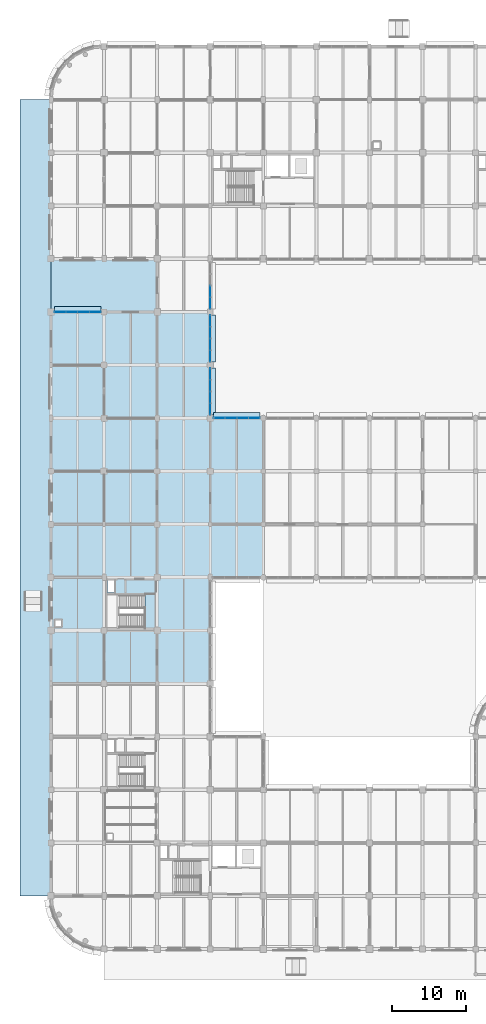
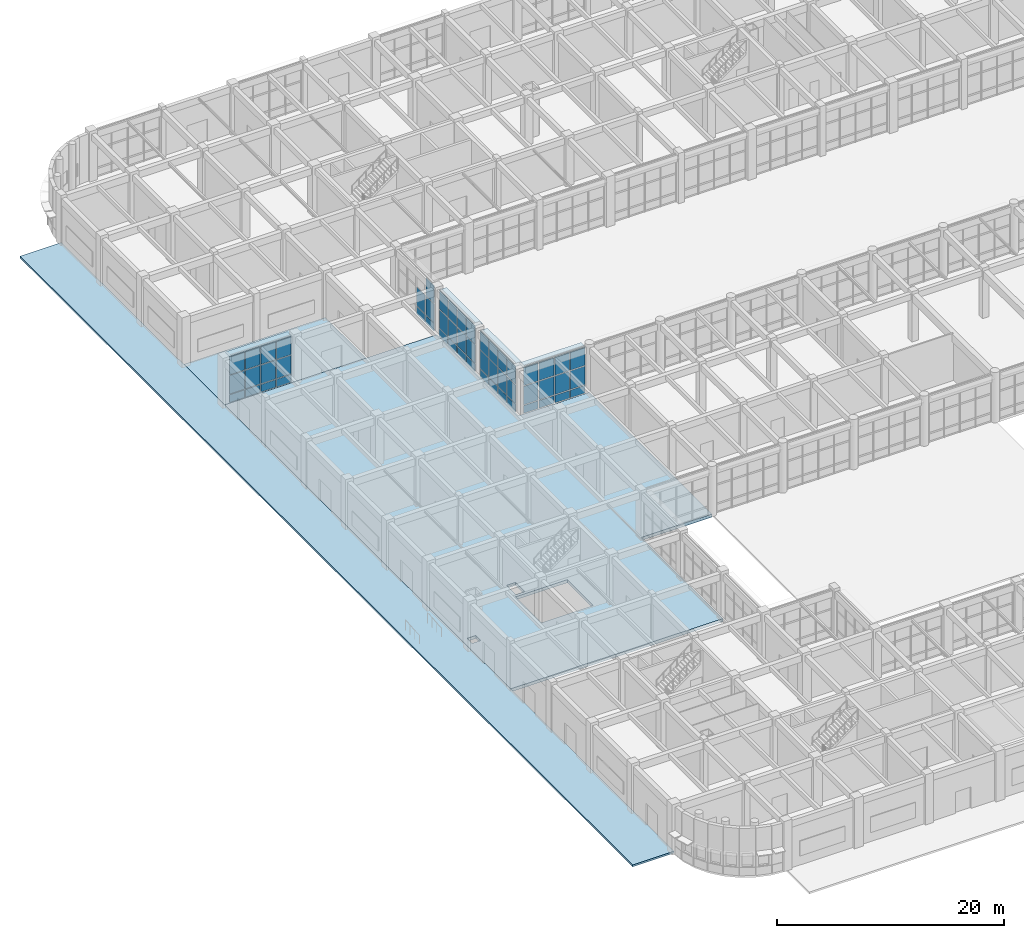
# One storey, part 121 of 160: 57 plates, 3 slabs, 5 elements without a shape of their own.
"""IFC4 building model written with IfcOpenShell, lengths in metres."""

import ifcopenshell
import ifcopenshell.guid

model = None  # the IFC model being written
_history = None  # IfcOwnerHistory: only IFC2X3 demands one
_inside = {}  # id of a spatial element -> (the spatial element, [elements in it])
_under = {}  # id of a project, library or spatial element -> (it, [spatial elements below it])
_declared = {}  # id of a project -> (the project, [libraries it declares])
_typed = {}  # id of a type object -> (the type object, [elements of that type])
_made_of = {}  # id of a material, layer set ... -> (it, [elements and type objects made of it])


def new_model(schema):
    """Start an empty IFC model of exactly this schema.

    Asked for "IFC4X3", IfcOpenShell would pick the latest addendum, in which some entities
    have other attributes; the version numbers below select the first issue.
    IFC2X3 requires an IfcOwnerHistory on every rooted entity: one is made here for all.
    """
    global model, _history
    if schema == "IFC4X3":
        model = ifcopenshell.file(schema_version=(4, 3, 0, 0))
    else:
        model = ifcopenshell.file(schema=schema)
    _inside.clear()
    _under.clear()
    _declared.clear()
    _typed.clear()
    _made_of.clear()
    _history = None
    if model.schema == "IFC2X3":
        org = make("IfcOrganization", Name="unknown")
        user = make(
            "IfcPersonAndOrganization",
            ThePerson=make("IfcPerson", FamilyName="unknown"),
            TheOrganization=org,
        )
        app = make(
            "IfcApplication",
            ApplicationDeveloper=org,
            Version="unknown",
            ApplicationFullName="unknown",
            ApplicationIdentifier="unknown",
        )
        _history = make(
            "IfcOwnerHistory",
            OwningUser=user,
            OwningApplication=app,
            ChangeAction="ADDED",
            CreationDate=0,
        )
    return model


def make(cls, **values):
    """One entity of the class cls with the attributes given. An attribute that is None is left unset."""
    return model.create_entity(
        cls, **{name: value for name, value in values.items() if value is not None}
    )


def rooted(cls, **values):
    """An entity with a GlobalId (a new one), such as an element, a storey or a relation."""
    return make(cls, GlobalId=ifcopenshell.guid.new(), OwnerHistory=_history, **values)


def si_unit(unit_type, name, prefix=None):
    """IfcSIUnit, for example si_unit("LENGTHUNIT", "METRE", prefix="MILLI")."""
    return make("IfcSIUnit", UnitType=unit_type, Prefix=prefix, Name=name)


def assignment(units):
    """IfcUnitAssignment: the units of a project."""
    return None if units is None else make("IfcUnitAssignment", Units=units)


def point(xyz):
    """IfcCartesianPoint."""
    return None if xyz is None else make("IfcCartesianPoint", Coordinates=xyz)


def direction(xyz):
    """IfcDirection."""
    return None if xyz is None else make("IfcDirection", DirectionRatios=xyz)


def frame(location, z_axis=None, x_axis=None):
    """IfcAxis2Placement3D, a coordinate frame: its origin and axes. An axis left out is left unset."""
    return make(
        "IfcAxis2Placement3D",
        Location=point(location),
        Axis=direction(z_axis),
        RefDirection=direction(x_axis),
    )


def frame_2d(location, x_axis=None):
    """IfcAxis2Placement2D, a coordinate frame in the plane: its origin and x axis."""
    return make(
        "IfcAxis2Placement2D", Location=point(location), RefDirection=direction(x_axis)
    )


def origin():
    """The frame at (0, 0, 0) with its axes left unset."""
    return frame((0.0, 0.0, 0.0))


def origin_2d():
    """The frame at (0, 0) in the plane with its x axis left unset."""
    return frame_2d((0.0, 0.0))


def place(relative_to, where):
    """IfcLocalPlacement: puts the frame where relative to a parent placement (None: the world)."""
    return make(
        "IfcLocalPlacement", PlacementRelTo=relative_to, RelativePlacement=where
    )


def context(
    kind, dimensions, precision=None, world=None, true_north=None, identifier=None
):
    """IfcGeometricRepresentationContext, for example the 3D "Model" context."""
    return make(
        "IfcGeometricRepresentationContext",
        ContextIdentifier=identifier,
        ContextType=kind,
        CoordinateSpaceDimension=dimensions,
        Precision=precision,
        WorldCoordinateSystem=world,
        TrueNorth=true_north,
    )


def subcontext(parent, identifier, kind, view, scale=None):
    """IfcGeometricRepresentationSubContext, for example "Body" below "Model"."""
    return make(
        "IfcGeometricRepresentationSubContext",
        ContextIdentifier=identifier,
        ContextType=kind,
        ParentContext=parent,
        TargetScale=scale,
        TargetView=view,
    )


def project(units=None, contexts=None):
    """IfcProject with its units and contexts."""
    return rooted(
        "IfcProject",
        Name="project",
        RepresentationContexts=contexts,
        UnitsInContext=assignment(units),
    )


def spatial(cls, under=None, at=None, **own):
    """A site, building, storey or space (cls), placed at a placement, below another one or the project."""
    s = rooted(cls, ObjectPlacement=at, **own)
    if under is not None:
        _under.setdefault(under.id(), (under, []))[1].append(s)
    return s


def polyline(points):
    """IfcPolyline through the points."""
    return make("IfcPolyline", Points=[point(p) for p in points])


def profile(cls, at=None, kind="AREA", **sizes):
    """A parametric profile (cls). Its sizes go by their IFC names, for example OverallWidth=200.0."""
    return make(cls, ProfileType=kind, Position=at, **sizes)


def rectangle(**sizes):
    """IfcRectangleProfileDef."""
    return profile("IfcRectangleProfileDef", **sizes)


def outline(outer, holes=None, kind="AREA"):
    """IfcArbitraryClosedProfileDef: a profile drawn as a closed curve; with holes, ...WithVoids."""
    if holes is None:
        return make("IfcArbitraryClosedProfileDef", ProfileType=kind, OuterCurve=outer)
    return make(
        "IfcArbitraryProfileDefWithVoids",
        ProfileType=kind,
        OuterCurve=outer,
        InnerCurves=holes,
    )


def extrude(swept, where, along, depth):
    """IfcExtrudedAreaSolid: the profile swept, set in the frame where, extruded along a direction by depth."""
    return make(
        "IfcExtrudedAreaSolid",
        SweptArea=swept,
        Position=where,
        ExtrudedDirection=direction(along),
        Depth=depth,
    )


def shape(context_of_items, identifier, shape_type, items):
    """IfcShapeRepresentation: the items that make up one representation, for example the "Body"."""
    return make(
        "IfcShapeRepresentation",
        ContextOfItems=context_of_items,
        RepresentationIdentifier=identifier,
        RepresentationType=shape_type,
        Items=items,
    )


def material(Name=None, Category=None):
    """IfcMaterial."""
    return make("IfcMaterial", Name=Name, Category=Category)


def layer(
    of_material, thickness, ventilated=None, Name=None, Category=None, Priority=None
):
    """IfcMaterialLayer: one layer of a wall or slab, of a material (None: an air gap)."""
    return make(
        "IfcMaterialLayer",
        Material=of_material,
        LayerThickness=thickness,
        IsVentilated=ventilated,
        Name=Name,
        Category=Category,
        Priority=Priority,
    )


def layer_set(layers, Name=None):
    """IfcMaterialLayerSet."""
    return make("IfcMaterialLayerSet", MaterialLayers=layers, LayerSetName=Name)


def made_of(thing, what):
    """Note that an element or type object is made of a material, layer set ...; save() writes the relation."""
    if what is not None:
        _made_of.setdefault(what.id(), (what, []))[1].append(thing)
    return thing


def type_object(cls, material=None, **own):
    """A type object (cls), such as IfcWallType, which elements share."""
    return made_of(rooted(cls, **own), material)


def element(
    cls,
    number,
    at=None,
    inside=None,
    cuts=None,
    type_object=None,
    material=None,
    context=None,
    identifier="Body",
    shape_type=None,
    held_by="IfcProductDefinitionShape",
    body=None,
    shapes=None,
    **own,
):
    """One element of the class cls, such as IfcWall. Its Tag is "e" and its number.

    at: its placement. inside: the storey or other place that contains it. cuts: it is an
    opening in that element (IfcRelVoidsElement). A single representation is given by context,
    identifier, shape_type and body (its items); several are given by shapes. held_by: the class
    of the entity that holds the representations. save() writes the other relations.
    """
    e = rooted(cls, Tag="e%d" % number, ObjectPlacement=at, **own)
    if body is not None:
        shapes = [shape(context, identifier, shape_type, body)]
    if shapes is not None:
        e.Representation = make(held_by, Representations=shapes)
    if inside is not None:
        _inside.setdefault(inside.id(), (inside, []))[1].append(e)
    if cuts is not None:
        rooted(
            "IfcRelVoidsElement", RelatingBuildingElement=cuts, RelatedOpeningElement=e
        )
    if type_object is not None:
        _typed.setdefault(type_object.id(), (type_object, []))[1].append(e)
    return made_of(e, material)


def aggregate(whole, parts):
    """IfcRelAggregates: a whole, such as a stair, and the parts it consists of."""
    return rooted("IfcRelAggregates", RelatingObject=whole, RelatedObjects=parts)


def save(model, path):
    """Write the relations noted so far, then the file.

    IfcRelAggregates (storeys below a building ...), IfcRelContainedInSpatialStructure (elements
    in a storey), IfcRelDefinesByType, IfcRelAssociatesMaterial and IfcRelDeclares: one each for
    every whole, place, type object, material and project.
    """
    for whole, parts in _under.values():
        aggregate(whole, parts)
    for where, things in _inside.values():
        rooted(
            "IfcRelContainedInSpatialStructure",
            RelatedElements=things,
            RelatingStructure=where,
        )
    for kind, things in _typed.values():
        rooted("IfcRelDefinesByType", RelatedObjects=things, RelatingType=kind)
    for what, things in _made_of.values():
        rooted("IfcRelAssociatesMaterial", RelatedObjects=things, RelatingMaterial=what)
    for by, libraries in _declared.values():
        rooted("IfcRelDeclares", RelatingContext=by, RelatedDefinitions=libraries)
    model.write(path)


model = new_model("IFC4")

# Units and contexts
model_context = context("Model", 3, precision=1e-05, world=origin(), true_north=direction((0.0, 1.0)))
body_context = subcontext(model_context, "Body", "Model", "MODEL_VIEW")
ifc_project = project(units=[si_unit("LENGTHUNIT", "METRE"), si_unit("AREAUNIT", "SQUARE_METRE"), si_unit("VOLUMEUNIT", "CUBIC_METRE"), si_unit("PLANEANGLEUNIT", "RADIAN"), si_unit("MASSUNIT", "GRAM", prefix="KILO")], contexts=[model_context])

# Site, building, storey
site_placement = place(None, origin())
site = spatial("IfcSite", under=ifc_project, at=site_placement, CompositionType="ELEMENT")
building_placement = place(site_placement, origin())
building = spatial("IfcBuilding", under=site, at=building_placement, Name="Thalmaran Polytechnic", CompositionType="ELEMENT")
storey_placement = place(building_placement, origin())
storey = spatial("IfcBuildingStorey", under=building, at=storey_placement, Name="L00", CompositionType="ELEMENT", Elevation=0.0)

# Plates
ifc_material_1 = material(Name="Anodised aluminium sun-hood eyebrow", Category="aluminium")
ifc_layer_1 = layer(ifc_material_1, 0.0849609375, Name="Anodised aluminium sun-hood eyebrow")
ifc_layer_set_1 = layer_set([ifc_layer_1], Name="Anodised aluminium sun-hood eyebrow")
plate_type_1 = type_object("IfcPlateType", Name="PT-EB01", PredefinedType="SHEET", material=ifc_layer_set_1)
plate_1_placement = place(storey_placement, frame((3.625, 86.760009765625, 4.987548828125), z_axis=(0.0, 0.0, 1.0), x_axis=(1.0, 0.0, 0.0)))
element("IfcPlate", 1, at=plate_1_placement, inside=storey, type_object=plate_type_1, Name="Streamline Sun-Hood Eyebrow L00-CW001", PredefinedType="SHEET", context=body_context, shape_type="SweptSolid", body=[
    extrude(rectangle(XDim=6.31005859375, YDim=0.760009765625, at=origin_2d()), origin(), (0.0, 0.0, 1.0), 0.0849609375),
])
plate_2_placement = place(storey_placement, frame((21.9599609375, 82.804931640625, 4.987548828125), z_axis=(0.0, 0.0, 1.0), x_axis=(0.0, -1.0, 0.0)))
element("IfcPlate", 2, at=plate_2_placement, inside=storey, type_object=plate_type_1, Name="Streamline Sun-Hood Eyebrow L00-CW024", PredefinedType="SHEET", context=body_context, shape_type="SweptSolid", body=[
    extrude(rectangle(XDim=6.35009765625, YDim=0.760009765625, at=origin_2d()), origin(), (0.0, 0.0, 1.0), 0.0849609375),
])
plate_3_placement = place(storey_placement, frame((21.9599609375, 75.614990234375, 4.987548828125), z_axis=(0.0, 0.0, 1.0), x_axis=(0.0, -1.0, 0.0)))
element("IfcPlate", 3, at=plate_3_placement, inside=storey, type_object=plate_type_1, Name="Streamline Sun-Hood Eyebrow L00-CW025", PredefinedType="SHEET", context=body_context, shape_type="SweptSolid", body=[
    extrude(rectangle(XDim=6.31005859375, YDim=0.760009765625, at=origin_2d()), origin(), (0.0, 0.0, 1.0), 0.0849609375),
])
plate_4_placement = place(storey_placement, frame((25.219970703125, 72.360107421875, 4.987548828125), z_axis=(0.0, 0.0, 1.0), x_axis=(1.0, 0.0, 0.0)))
element("IfcPlate", 4, at=plate_4_placement, inside=storey, type_object=plate_type_1, Name="Streamline Sun-Hood Eyebrow L00-CW026", PredefinedType="SHEET", context=body_context, shape_type="SweptSolid", body=[
    extrude(rectangle(XDim=6.320068359375, YDim=0.760009765625, at=origin_2d()), origin(), (0.0, 0.0, 1.0), 0.0849609375),
])

# Curtain wall, plates
ifc_material_2 = material(Name="Aluminium 6063-T6", Category="aluminium")
curtain_wall_type = type_object("IfcCurtainWallType", Name="CW-UC01", PredefinedType="USERDEFINED", material=ifc_material_2)
curtain_wall_1_placement = place(storey_placement, origin())
curtain_wall_1 = element("IfcCurtainWall", 5, at=curtain_wall_1_placement, inside=storey, type_object=curtain_wall_type, Name="Curtain Wall CW-L00-025", ObjectType="UNITISED CURTAIN WALL", PredefinedType="USERDEFINED")
ifc_material_3 = material(Name="Solar-control double low-E glass", Category="glass")
ifc_layer_2 = layer(ifc_material_3, 0.035888671875, Name="Solar-control double low-E glass")
ifc_layer_set_2 = layer_set([ifc_layer_2], Name="Solar-control double low-E glass")
plate_type_2 = type_object("IfcPlateType", Name="PT-GL01", PredefinedType="CURTAIN_PANEL", material=ifc_layer_set_2)
plate_5_placement = place(storey_placement, frame((21.60009765625, 77.996337890625, 1.0), z_axis=(0.0, 0.0, 1.0), x_axis=(0.0, -1.0, 0.0)))
plate_5 = element("IfcPlate", 6, at=plate_5_placement, type_object=plate_type_2, Name="CW-L00-025 Vision Panel 1-2", PredefinedType="CURTAIN_PANEL", context=body_context, shape_type="SweptSolid", body=[
    extrude(rectangle(XDim=1.487548828125, YDim=0.035888671875, at=origin_2d()), origin(), (0.0, 0.0, 1.0), 1.985107421875),
])
plate_6_placement = place(storey_placement, frame((21.60009765625, 77.996337890625, 3.06494140625), z_axis=(0.0, 0.0, 1.0), x_axis=(0.0, -1.0, 0.0)))
plate_6 = element("IfcPlate", 7, at=plate_6_placement, type_object=plate_type_2, Name="CW-L00-025 Vision Panel 1-3", PredefinedType="CURTAIN_PANEL", context=body_context, shape_type="SweptSolid", body=[
    extrude(rectangle(XDim=1.487548828125, YDim=0.035888671875, at=origin_2d()), origin(), (0.0, 0.0, 1.0), 1.925048828125),
])
plate_7_placement = place(storey_placement, frame((21.60009765625, 76.40869140625, 1.0), z_axis=(0.0, 0.0, 1.0), x_axis=(0.0, -1.0, 0.0)))
plate_7 = element("IfcPlate", 8, at=plate_7_placement, type_object=plate_type_2, Name="CW-L00-025 Vision Panel 2-2", PredefinedType="CURTAIN_PANEL", context=body_context, shape_type="SweptSolid", body=[
    extrude(rectangle(XDim=1.487548828125, YDim=0.035888671875, at=origin_2d()), origin(), (0.0, 0.0, 1.0), 1.985107421875),
])
plate_8_placement = place(storey_placement, frame((21.60009765625, 76.40869140625, 3.06494140625), z_axis=(0.0, 0.0, 1.0), x_axis=(0.0, -1.0, 0.0)))
plate_8 = element("IfcPlate", 9, at=plate_8_placement, type_object=plate_type_2, Name="CW-L00-025 Vision Panel 2-3", PredefinedType="CURTAIN_PANEL", context=body_context, shape_type="SweptSolid", body=[
    extrude(rectangle(XDim=1.487548828125, YDim=0.035888671875, at=origin_2d()), origin(), (0.0, 0.0, 1.0), 1.925048828125),
])
plate_9_placement = place(storey_placement, frame((21.60009765625, 74.8212890625, 1.0), z_axis=(0.0, 0.0, 1.0), x_axis=(0.0, -1.0, 0.0)))
plate_9 = element("IfcPlate", 10, at=plate_9_placement, type_object=plate_type_2, Name="CW-L00-025 Vision Panel 3-2", PredefinedType="CURTAIN_PANEL", context=body_context, shape_type="SweptSolid", body=[
    extrude(rectangle(XDim=1.487548828125, YDim=0.035888671875, at=origin_2d()), origin(), (0.0, 0.0, 1.0), 1.985107421875),
])
plate_10_placement = place(storey_placement, frame((21.60009765625, 74.8212890625, 3.06494140625), z_axis=(0.0, 0.0, 1.0), x_axis=(0.0, -1.0, 0.0)))
plate_10 = element("IfcPlate", 11, at=plate_10_placement, type_object=plate_type_2, Name="CW-L00-025 Vision Panel 3-3", PredefinedType="CURTAIN_PANEL", context=body_context, shape_type="SweptSolid", body=[
    extrude(rectangle(XDim=1.487548828125, YDim=0.035888671875, at=origin_2d()), origin(), (0.0, 0.0, 1.0), 1.925048828125),
])
plate_11_placement = place(storey_placement, frame((21.60009765625, 73.233642578125, 1.0), z_axis=(0.0, 0.0, 1.0), x_axis=(0.0, -1.0, 0.0)))
plate_11 = element("IfcPlate", 12, at=plate_11_placement, type_object=plate_type_2, Name="CW-L00-025 Vision Panel 4-2", PredefinedType="CURTAIN_PANEL", context=body_context, shape_type="SweptSolid", body=[
    extrude(rectangle(XDim=1.487548828125, YDim=0.035888671875, at=origin_2d()), origin(), (0.0, 0.0, 1.0), 1.985107421875),
])
plate_12_placement = place(storey_placement, frame((21.60009765625, 73.233642578125, 3.06494140625), z_axis=(0.0, 0.0, 1.0), x_axis=(0.0, -1.0, 0.0)))
plate_12 = element("IfcPlate", 13, at=plate_12_placement, type_object=plate_type_2, Name="CW-L00-025 Vision Panel 4-3", PredefinedType="CURTAIN_PANEL", context=body_context, shape_type="SweptSolid", body=[
    extrude(rectangle(XDim=1.487548828125, YDim=0.035888671875, at=origin_2d()), origin(), (0.0, 0.0, 1.0), 1.925048828125),
])

curtain_wall_2_placement = place(storey_placement, origin())
curtain_wall_2 = element("IfcCurtainWall", 14, at=curtain_wall_2_placement, inside=storey, type_object=curtain_wall_type, Name="Curtain Wall CW-L00-001", ObjectType="UNITISED CURTAIN WALL", PredefinedType="USERDEFINED")
ifc_layer_3 = layer(ifc_material_3, 0.035888671875, Name="Solar-control double low-E glass")
ifc_layer_set_3 = layer_set([ifc_layer_3], Name="Solar-control double low-E glass")
plate_type_3 = type_object("IfcPlateType", Name="PT-GL02", PredefinedType="CURTAIN_PANEL", material=ifc_layer_set_3)
plate_13_placement = place(storey_placement, frame((1.24365234375, 86.39990234375, 1.0), z_axis=(0.0, 0.0, 1.0), x_axis=(1.0, 0.0, 0.0)))
plate_13 = element("IfcPlate", 15, at=plate_13_placement, type_object=plate_type_3, Name="CW-L00-001 Vision Panel 1-2", PredefinedType="CURTAIN_PANEL", context=body_context, shape_type="SweptSolid", body=[
    extrude(rectangle(XDim=1.487548828125, YDim=0.035888671875, at=origin_2d()), origin(), (0.0, 0.0, 1.0), 1.985107421875),
])
plate_14_placement = place(storey_placement, frame((1.24365234375, 86.39990234375, 3.06494140625), z_axis=(0.0, 0.0, 1.0), x_axis=(1.0, 0.0, 0.0)))
plate_14 = element("IfcPlate", 16, at=plate_14_placement, type_object=plate_type_3, Name="CW-L00-001 Vision Panel 1-3", PredefinedType="CURTAIN_PANEL", context=body_context, shape_type="SweptSolid", body=[
    extrude(rectangle(XDim=1.487548828125, YDim=0.035888671875, at=origin_2d()), origin(), (0.0, 0.0, 1.0), 1.925048828125),
])
plate_15_placement = place(storey_placement, frame((2.831298828125, 86.39990234375, 1.0), z_axis=(0.0, 0.0, 1.0), x_axis=(1.0, 0.0, 0.0)))
plate_15 = element("IfcPlate", 17, at=plate_15_placement, type_object=plate_type_3, Name="CW-L00-001 Vision Panel 2-2", PredefinedType="CURTAIN_PANEL", context=body_context, shape_type="SweptSolid", body=[
    extrude(rectangle(XDim=1.487548828125, YDim=0.035888671875, at=origin_2d()), origin(), (0.0, 0.0, 1.0), 1.985107421875),
])
plate_16_placement = place(storey_placement, frame((2.831298828125, 86.39990234375, 3.06494140625), z_axis=(0.0, 0.0, 1.0), x_axis=(1.0, 0.0, 0.0)))
plate_16 = element("IfcPlate", 18, at=plate_16_placement, type_object=plate_type_3, Name="CW-L00-001 Vision Panel 2-3", PredefinedType="CURTAIN_PANEL", context=body_context, shape_type="SweptSolid", body=[
    extrude(rectangle(XDim=1.487548828125, YDim=0.035888671875, at=origin_2d()), origin(), (0.0, 0.0, 1.0), 1.925048828125),
])
plate_17_placement = place(storey_placement, frame((4.418701171875, 86.39990234375, 1.0), z_axis=(0.0, 0.0, 1.0), x_axis=(1.0, 0.0, 0.0)))
plate_17 = element("IfcPlate", 19, at=plate_17_placement, type_object=plate_type_3, Name="CW-L00-001 Vision Panel 3-2", PredefinedType="CURTAIN_PANEL", context=body_context, shape_type="SweptSolid", body=[
    extrude(rectangle(XDim=1.487548828125, YDim=0.035888671875, at=origin_2d()), origin(), (0.0, 0.0, 1.0), 1.985107421875),
])
plate_18_placement = place(storey_placement, frame((4.418701171875, 86.39990234375, 3.06494140625), z_axis=(0.0, 0.0, 1.0), x_axis=(1.0, 0.0, 0.0)))
plate_18 = element("IfcPlate", 20, at=plate_18_placement, type_object=plate_type_3, Name="CW-L00-001 Vision Panel 3-3", PredefinedType="CURTAIN_PANEL", context=body_context, shape_type="SweptSolid", body=[
    extrude(rectangle(XDim=1.487548828125, YDim=0.035888671875, at=origin_2d()), origin(), (0.0, 0.0, 1.0), 1.925048828125),
])
plate_19_placement = place(storey_placement, frame((6.00634765625, 86.39990234375, 1.0), z_axis=(0.0, 0.0, 1.0), x_axis=(1.0, 0.0, 0.0)))
plate_19 = element("IfcPlate", 21, at=plate_19_placement, type_object=plate_type_3, Name="CW-L00-001 Vision Panel 4-2", PredefinedType="CURTAIN_PANEL", context=body_context, shape_type="SweptSolid", body=[
    extrude(rectangle(XDim=1.487548828125, YDim=0.035888671875, at=origin_2d()), origin(), (0.0, 0.0, 1.0), 1.985107421875),
])
plate_20_placement = place(storey_placement, frame((6.00634765625, 86.39990234375, 3.06494140625), z_axis=(0.0, 0.0, 1.0), x_axis=(1.0, 0.0, 0.0)))
plate_20 = element("IfcPlate", 22, at=plate_20_placement, type_object=plate_type_3, Name="CW-L00-001 Vision Panel 4-3", PredefinedType="CURTAIN_PANEL", context=body_context, shape_type="SweptSolid", body=[
    extrude(rectangle(XDim=1.487548828125, YDim=0.035888671875, at=origin_2d()), origin(), (0.0, 0.0, 1.0), 1.925048828125),
])

curtain_wall_3_placement = place(storey_placement, origin())
curtain_wall_3 = element("IfcCurtainWall", 23, at=curtain_wall_3_placement, inside=storey, type_object=curtain_wall_type, Name="Curtain Wall CW-L00-026", ObjectType="UNITISED CURTAIN WALL", PredefinedType="USERDEFINED")
plate_21_placement = place(storey_placement, frame((22.8349609375, 72.0, 1.0), z_axis=(0.0, 0.0, 1.0), x_axis=(1.0, 0.0, 0.0)))
plate_21 = element("IfcPlate", 24, at=plate_21_placement, type_object=plate_type_3, Name="CW-L00-026 Vision Panel 1-2", PredefinedType="CURTAIN_PANEL", context=body_context, shape_type="SweptSolid", body=[
    extrude(rectangle(XDim=1.489990234375, YDim=0.035888671875, at=origin_2d()), origin(), (0.0, 0.0, 1.0), 1.985107421875),
])
plate_22_placement = place(storey_placement, frame((22.8349609375, 72.0, 3.06494140625), z_axis=(0.0, 0.0, 1.0), x_axis=(1.0, 0.0, 0.0)))
plate_22 = element("IfcPlate", 25, at=plate_22_placement, type_object=plate_type_3, Name="CW-L00-026 Vision Panel 1-3", PredefinedType="CURTAIN_PANEL", context=body_context, shape_type="SweptSolid", body=[
    extrude(rectangle(XDim=1.489990234375, YDim=0.035888671875, at=origin_2d()), origin(), (0.0, 0.0, 1.0), 1.925048828125),
])
plate_23_placement = place(storey_placement, frame((24.425048828125, 72.0, 1.0), z_axis=(0.0, 0.0, 1.0), x_axis=(1.0, 0.0, 0.0)))
plate_23 = element("IfcPlate", 26, at=plate_23_placement, type_object=plate_type_3, Name="CW-L00-026 Vision Panel 2-2", PredefinedType="CURTAIN_PANEL", context=body_context, shape_type="SweptSolid", body=[
    extrude(rectangle(XDim=1.489990234375, YDim=0.035888671875, at=origin_2d()), origin(), (0.0, 0.0, 1.0), 1.985107421875),
])
plate_24_placement = place(storey_placement, frame((24.425048828125, 72.0, 3.06494140625), z_axis=(0.0, 0.0, 1.0), x_axis=(1.0, 0.0, 0.0)))
plate_24 = element("IfcPlate", 27, at=plate_24_placement, type_object=plate_type_3, Name="CW-L00-026 Vision Panel 2-3", PredefinedType="CURTAIN_PANEL", context=body_context, shape_type="SweptSolid", body=[
    extrude(rectangle(XDim=1.489990234375, YDim=0.035888671875, at=origin_2d()), origin(), (0.0, 0.0, 1.0), 1.925048828125),
])
plate_25_placement = place(storey_placement, frame((26.014892578125, 72.0, 1.0), z_axis=(0.0, 0.0, 1.0), x_axis=(1.0, 0.0, 0.0)))
plate_25 = element("IfcPlate", 28, at=plate_25_placement, type_object=plate_type_3, Name="CW-L00-026 Vision Panel 3-2", PredefinedType="CURTAIN_PANEL", context=body_context, shape_type="SweptSolid", body=[
    extrude(rectangle(XDim=1.489990234375, YDim=0.035888671875, at=origin_2d()), origin(), (0.0, 0.0, 1.0), 1.985107421875),
])
plate_26_placement = place(storey_placement, frame((26.014892578125, 72.0, 3.06494140625), z_axis=(0.0, 0.0, 1.0), x_axis=(1.0, 0.0, 0.0)))
plate_26 = element("IfcPlate", 29, at=plate_26_placement, type_object=plate_type_3, Name="CW-L00-026 Vision Panel 3-3", PredefinedType="CURTAIN_PANEL", context=body_context, shape_type="SweptSolid", body=[
    extrude(rectangle(XDim=1.489990234375, YDim=0.035888671875, at=origin_2d()), origin(), (0.0, 0.0, 1.0), 1.925048828125),
])
plate_27_placement = place(storey_placement, frame((27.60498046875, 72.0, 1.0), z_axis=(0.0, 0.0, 1.0), x_axis=(1.0, 0.0, 0.0)))
plate_27 = element("IfcPlate", 30, at=plate_27_placement, type_object=plate_type_3, Name="CW-L00-026 Vision Panel 4-2", PredefinedType="CURTAIN_PANEL", context=body_context, shape_type="SweptSolid", body=[
    extrude(rectangle(XDim=1.489990234375, YDim=0.035888671875, at=origin_2d()), origin(), (0.0, 0.0, 1.0), 1.985107421875),
])
plate_28_placement = place(storey_placement, frame((27.60498046875, 72.0, 3.06494140625), z_axis=(0.0, 0.0, 1.0), x_axis=(1.0, 0.0, 0.0)))
plate_28 = element("IfcPlate", 31, at=plate_28_placement, type_object=plate_type_3, Name="CW-L00-026 Vision Panel 4-3", PredefinedType="CURTAIN_PANEL", context=body_context, shape_type="SweptSolid", body=[
    extrude(rectangle(XDim=1.489990234375, YDim=0.035888671875, at=origin_2d()), origin(), (0.0, 0.0, 1.0), 1.925048828125),
])

curtain_wall_4_placement = place(storey_placement, origin())
curtain_wall_4 = element("IfcCurtainWall", 32, at=curtain_wall_4_placement, inside=storey, type_object=curtain_wall_type, Name="Curtain Wall CW-L00-023", ObjectType="UNITISED CURTAIN WALL", PredefinedType="USERDEFINED")
ifc_layer_4 = layer(ifc_material_3, 0.035888671875, Name="Solar-control double low-E glass")
ifc_layer_set_4 = layer_set([ifc_layer_4], Name="Solar-control double low-E glass")
plate_type_4 = type_object("IfcPlateType", Name="PT-GL04", PredefinedType="CURTAIN_PANEL", material=ifc_layer_set_4)
plate_29_placement = place(storey_placement, frame((21.60009765625, 89.18115234375, 1.0), z_axis=(0.0, 0.0, 1.0), x_axis=(0.0, -1.0, 0.0)))
plate_29 = element("IfcPlate", 33, at=plate_29_placement, type_object=plate_type_4, Name="CW-L00-023 Vision Panel 3-2", PredefinedType="CURTAIN_PANEL", context=body_context, shape_type="SweptSolid", body=[
    extrude(rectangle(XDim=1.487548828125, YDim=0.035888671875, at=origin_2d()), origin(), (0.0, 0.0, 1.0), 1.985107421875),
])
plate_30_placement = place(storey_placement, frame((21.60009765625, 87.59375, 1.0), z_axis=(0.0, 0.0, 1.0), x_axis=(0.0, -1.0, 0.0)))
plate_30 = element("IfcPlate", 34, at=plate_30_placement, type_object=plate_type_4, Name="CW-L00-023 Vision Panel 4-2", PredefinedType="CURTAIN_PANEL", context=body_context, shape_type="SweptSolid", body=[
    extrude(rectangle(XDim=1.487548828125, YDim=0.035888671875, at=origin_2d()), origin(), (0.0, 0.0, 1.0), 1.985107421875),
])
plate_31_placement = place(storey_placement, frame((21.60009765625, 87.59375, 3.06494140625), z_axis=(0.0, 0.0, 1.0), x_axis=(0.0, -1.0, 0.0)))
plate_31 = element("IfcPlate", 35, at=plate_31_placement, type_object=plate_type_4, Name="CW-L00-023 Vision Panel 4-3", PredefinedType="CURTAIN_PANEL", context=body_context, shape_type="SweptSolid", body=[
    extrude(rectangle(XDim=1.487548828125, YDim=0.035888671875, at=origin_2d()), origin(), (0.0, 0.0, 1.0), 1.925048828125),
])

curtain_wall_5_placement = place(storey_placement, origin())
curtain_wall_5 = element("IfcCurtainWall", 36, at=curtain_wall_5_placement, inside=storey, type_object=curtain_wall_type, Name="Curtain Wall CW-L00-024", ObjectType="UNITISED CURTAIN WALL", PredefinedType="USERDEFINED")
ifc_layer_5 = layer(ifc_material_3, 0.035888671875, Name="Solar-control double low-E glass")
ifc_layer_set_5 = layer_set([ifc_layer_5], Name="Solar-control double low-E glass")
plate_type_5 = type_object("IfcPlateType", Name="PT-GL05", PredefinedType="CURTAIN_PANEL", material=ifc_layer_set_5)
plate_32_placement = place(storey_placement, frame((21.60009765625, 85.201171875, 1.0), z_axis=(0.0, 0.0, 1.0), x_axis=(0.0, -1.0, 0.0)))
plate_32 = element("IfcPlate", 37, at=plate_32_placement, type_object=plate_type_5, Name="CW-L00-024 Vision Panel 1-2", PredefinedType="CURTAIN_PANEL", context=body_context, shape_type="SweptSolid", body=[
    extrude(rectangle(XDim=1.49755859375, YDim=0.035888671875, at=origin_2d()), origin(), (0.0, 0.0, 1.0), 1.985107421875),
])
plate_33_placement = place(storey_placement, frame((21.60009765625, 85.201171875, 3.06494140625), z_axis=(0.0, 0.0, 1.0), x_axis=(0.0, -1.0, 0.0)))
plate_33 = element("IfcPlate", 38, at=plate_33_placement, type_object=plate_type_5, Name="CW-L00-024 Vision Panel 1-3", PredefinedType="CURTAIN_PANEL", context=body_context, shape_type="SweptSolid", body=[
    extrude(rectangle(XDim=1.49755859375, YDim=0.035888671875, at=origin_2d()), origin(), (0.0, 0.0, 1.0), 1.925048828125),
])
plate_34_placement = place(storey_placement, frame((21.60009765625, 83.603759765625, 1.0), z_axis=(0.0, 0.0, 1.0), x_axis=(0.0, -1.0, 0.0)))
plate_34 = element("IfcPlate", 39, at=plate_34_placement, type_object=plate_type_5, Name="CW-L00-024 Vision Panel 2-2", PredefinedType="CURTAIN_PANEL", context=body_context, shape_type="SweptSolid", body=[
    extrude(rectangle(XDim=1.49755859375, YDim=0.035888671875, at=origin_2d()), origin(), (0.0, 0.0, 1.0), 1.985107421875),
])
plate_35_placement = place(storey_placement, frame((21.60009765625, 83.603759765625, 3.06494140625), z_axis=(0.0, 0.0, 1.0), x_axis=(0.0, -1.0, 0.0)))
plate_35 = element("IfcPlate", 40, at=plate_35_placement, type_object=plate_type_5, Name="CW-L00-024 Vision Panel 2-3", PredefinedType="CURTAIN_PANEL", context=body_context, shape_type="SweptSolid", body=[
    extrude(rectangle(XDim=1.49755859375, YDim=0.035888671875, at=origin_2d()), origin(), (0.0, 0.0, 1.0), 1.925048828125),
])
plate_36_placement = place(storey_placement, frame((21.60009765625, 82.00634765625, 1.0), z_axis=(0.0, 0.0, 1.0), x_axis=(0.0, -1.0, 0.0)))
plate_36 = element("IfcPlate", 41, at=plate_36_placement, type_object=plate_type_5, Name="CW-L00-024 Vision Panel 3-2", PredefinedType="CURTAIN_PANEL", context=body_context, shape_type="SweptSolid", body=[
    extrude(rectangle(XDim=1.49755859375, YDim=0.035888671875, at=origin_2d()), origin(), (0.0, 0.0, 1.0), 1.985107421875),
])
plate_37_placement = place(storey_placement, frame((21.60009765625, 82.00634765625, 3.06494140625), z_axis=(0.0, 0.0, 1.0), x_axis=(0.0, -1.0, 0.0)))
plate_37 = element("IfcPlate", 42, at=plate_37_placement, type_object=plate_type_5, Name="CW-L00-024 Vision Panel 3-3", PredefinedType="CURTAIN_PANEL", context=body_context, shape_type="SweptSolid", body=[
    extrude(rectangle(XDim=1.49755859375, YDim=0.035888671875, at=origin_2d()), origin(), (0.0, 0.0, 1.0), 1.925048828125),
])
plate_38_placement = place(storey_placement, frame((21.60009765625, 80.40869140625, 1.0), z_axis=(0.0, 0.0, 1.0), x_axis=(0.0, -1.0, 0.0)))
plate_38 = element("IfcPlate", 43, at=plate_38_placement, type_object=plate_type_5, Name="CW-L00-024 Vision Panel 4-2", PredefinedType="CURTAIN_PANEL", context=body_context, shape_type="SweptSolid", body=[
    extrude(rectangle(XDim=1.49755859375, YDim=0.035888671875, at=origin_2d()), origin(), (0.0, 0.0, 1.0), 1.985107421875),
])
plate_39_placement = place(storey_placement, frame((21.60009765625, 80.40869140625, 3.06494140625), z_axis=(0.0, 0.0, 1.0), x_axis=(0.0, -1.0, 0.0)))
plate_39 = element("IfcPlate", 44, at=plate_39_placement, type_object=plate_type_5, Name="CW-L00-024 Vision Panel 4-3", PredefinedType="CURTAIN_PANEL", context=body_context, shape_type="SweptSolid", body=[
    extrude(rectangle(XDim=1.49755859375, YDim=0.035888671875, at=origin_2d()), origin(), (0.0, 0.0, 1.0), 1.925048828125),
])
ifc_material_4 = material(Name="Insulated anodised aluminium spandrel", Category="aluminium")
ifc_layer_6 = layer(ifc_material_4, 0.06005859375, Name="Insulated anodised aluminium spandrel")
ifc_layer_set_6 = layer_set([ifc_layer_6], Name="Insulated anodised aluminium spandrel")
plate_type_6 = type_object("IfcPlateType", Name="PT-SP01", PredefinedType="CURTAIN_PANEL", material=ifc_layer_set_6)
plate_40_placement = place(storey_placement, frame((21.60009765625, 85.201171875, 0.10009765625), z_axis=(0.0, 0.0, 1.0), x_axis=(0.0, -1.0, 0.0)))
plate_40 = element("IfcPlate", 45, at=plate_40_placement, type_object=plate_type_6, Name="CW-L00-024 Spandrel Panel 1-1", PredefinedType="CURTAIN_PANEL", context=body_context, shape_type="SweptSolid", body=[
    extrude(rectangle(XDim=1.49755859375, YDim=0.06005859375, at=origin_2d()), origin(), (0.0, 0.0, 1.0), 0.820068359375),
])
plate_41_placement = place(storey_placement, frame((21.60009765625, 83.603759765625, 0.10009765625), z_axis=(0.0, 0.0, 1.0), x_axis=(0.0, -1.0, 0.0)))
plate_41 = element("IfcPlate", 46, at=plate_41_placement, type_object=plate_type_6, Name="CW-L00-024 Spandrel Panel 2-1", PredefinedType="CURTAIN_PANEL", context=body_context, shape_type="SweptSolid", body=[
    extrude(rectangle(XDim=1.49755859375, YDim=0.06005859375, at=origin_2d()), origin(), (0.0, 0.0, 1.0), 0.820068359375),
])
plate_42_placement = place(storey_placement, frame((21.60009765625, 82.00634765625, 0.10009765625), z_axis=(0.0, 0.0, 1.0), x_axis=(0.0, -1.0, 0.0)))
plate_42 = element("IfcPlate", 47, at=plate_42_placement, type_object=plate_type_6, Name="CW-L00-024 Spandrel Panel 3-1", PredefinedType="CURTAIN_PANEL", context=body_context, shape_type="SweptSolid", body=[
    extrude(rectangle(XDim=1.49755859375, YDim=0.06005859375, at=origin_2d()), origin(), (0.0, 0.0, 1.0), 0.820068359375),
])
plate_43_placement = place(storey_placement, frame((21.60009765625, 80.40869140625, 0.10009765625), z_axis=(0.0, 0.0, 1.0), x_axis=(0.0, -1.0, 0.0)))
plate_43 = element("IfcPlate", 48, at=plate_43_placement, type_object=plate_type_6, Name="CW-L00-024 Spandrel Panel 4-1", PredefinedType="CURTAIN_PANEL", context=body_context, shape_type="SweptSolid", body=[
    extrude(rectangle(XDim=1.49755859375, YDim=0.06005859375, at=origin_2d()), origin(), (0.0, 0.0, 1.0), 0.820068359375),
])
aggregate(curtain_wall_5, [plate_40, plate_32, plate_33, plate_41, plate_34, plate_35, plate_42, plate_36, plate_37, plate_43, plate_38, plate_39])

# Plate
ifc_layer_7 = layer(ifc_material_4, 0.06005859375, Name="Insulated anodised aluminium spandrel")
ifc_layer_set_7 = layer_set([ifc_layer_7], Name="Insulated anodised aluminium spandrel")
plate_type_7 = type_object("IfcPlateType", Name="PT-SP02", PredefinedType="CURTAIN_PANEL", material=ifc_layer_set_7)
plate_44_placement = place(storey_placement, frame((1.24365234375, 86.39990234375, 0.10009765625), z_axis=(0.0, 0.0, 1.0), x_axis=(1.0, 0.0, 0.0)))
plate_44 = element("IfcPlate", 49, at=plate_44_placement, type_object=plate_type_7, Name="CW-L00-001 Spandrel Panel 1-1", PredefinedType="CURTAIN_PANEL", context=body_context, shape_type="SweptSolid", body=[
    extrude(rectangle(XDim=1.487548828125, YDim=0.06005859375, at=origin_2d()), origin(), (0.0, 0.0, 1.0), 0.820068359375),
])

plate_45_placement = place(storey_placement, frame((2.831298828125, 86.39990234375, 0.10009765625), z_axis=(0.0, 0.0, 1.0), x_axis=(1.0, 0.0, 0.0)))
plate_45 = element("IfcPlate", 50, at=plate_45_placement, type_object=plate_type_7, Name="CW-L00-001 Spandrel Panel 2-1", PredefinedType="CURTAIN_PANEL", context=body_context, shape_type="SweptSolid", body=[
    extrude(rectangle(XDim=1.487548828125, YDim=0.06005859375, at=origin_2d()), origin(), (0.0, 0.0, 1.0), 0.820068359375),
])

plate_46_placement = place(storey_placement, frame((4.418701171875, 86.39990234375, 0.10009765625), z_axis=(0.0, 0.0, 1.0), x_axis=(1.0, 0.0, 0.0)))
plate_46 = element("IfcPlate", 51, at=plate_46_placement, type_object=plate_type_7, Name="CW-L00-001 Spandrel Panel 3-1", PredefinedType="CURTAIN_PANEL", context=body_context, shape_type="SweptSolid", body=[
    extrude(rectangle(XDim=1.487548828125, YDim=0.06005859375, at=origin_2d()), origin(), (0.0, 0.0, 1.0), 0.820068359375),
])

plate_47_placement = place(storey_placement, frame((6.00634765625, 86.39990234375, 0.10009765625), z_axis=(0.0, 0.0, 1.0), x_axis=(1.0, 0.0, 0.0)))
plate_47 = element("IfcPlate", 52, at=plate_47_placement, type_object=plate_type_7, Name="CW-L00-001 Spandrel Panel 4-1", PredefinedType="CURTAIN_PANEL", context=body_context, shape_type="SweptSolid", body=[
    extrude(rectangle(XDim=1.487548828125, YDim=0.06005859375, at=origin_2d()), origin(), (0.0, 0.0, 1.0), 0.820068359375),
])

aggregate(curtain_wall_2, [plate_44, plate_13, plate_14, plate_45, plate_15, plate_16, plate_46, plate_17, plate_18, plate_47, plate_19, plate_20])

plate_48_placement = place(storey_placement, frame((21.60009765625, 77.996337890625, 0.10009765625), z_axis=(0.0, 0.0, 1.0), x_axis=(0.0, -1.0, 0.0)))
plate_48 = element("IfcPlate", 53, at=plate_48_placement, type_object=plate_type_7, Name="CW-L00-025 Spandrel Panel 1-1", PredefinedType="CURTAIN_PANEL", context=body_context, shape_type="SweptSolid", body=[
    extrude(rectangle(XDim=1.487548828125, YDim=0.06005859375, at=origin_2d()), origin(), (0.0, 0.0, 1.0), 0.820068359375),
])

plate_49_placement = place(storey_placement, frame((21.60009765625, 76.40869140625, 0.10009765625), z_axis=(0.0, 0.0, 1.0), x_axis=(0.0, -1.0, 0.0)))
plate_49 = element("IfcPlate", 54, at=plate_49_placement, type_object=plate_type_7, Name="CW-L00-025 Spandrel Panel 2-1", PredefinedType="CURTAIN_PANEL", context=body_context, shape_type="SweptSolid", body=[
    extrude(rectangle(XDim=1.487548828125, YDim=0.06005859375, at=origin_2d()), origin(), (0.0, 0.0, 1.0), 0.820068359375),
])

plate_50_placement = place(storey_placement, frame((21.60009765625, 74.8212890625, 0.10009765625), z_axis=(0.0, 0.0, 1.0), x_axis=(0.0, -1.0, 0.0)))
plate_50 = element("IfcPlate", 55, at=plate_50_placement, type_object=plate_type_7, Name="CW-L00-025 Spandrel Panel 3-1", PredefinedType="CURTAIN_PANEL", context=body_context, shape_type="SweptSolid", body=[
    extrude(rectangle(XDim=1.487548828125, YDim=0.06005859375, at=origin_2d()), origin(), (0.0, 0.0, 1.0), 0.820068359375),
])

plate_51_placement = place(storey_placement, frame((21.60009765625, 73.233642578125, 0.10009765625), z_axis=(0.0, 0.0, 1.0), x_axis=(0.0, -1.0, 0.0)))
plate_51 = element("IfcPlate", 56, at=plate_51_placement, type_object=plate_type_7, Name="CW-L00-025 Spandrel Panel 4-1", PredefinedType="CURTAIN_PANEL", context=body_context, shape_type="SweptSolid", body=[
    extrude(rectangle(XDim=1.487548828125, YDim=0.06005859375, at=origin_2d()), origin(), (0.0, 0.0, 1.0), 0.820068359375),
])

aggregate(curtain_wall_1, [plate_48, plate_5, plate_6, plate_49, plate_7, plate_8, plate_50, plate_9, plate_10, plate_51, plate_11, plate_12])

ifc_layer_8 = layer(ifc_material_4, 0.06005859375, Name="Insulated anodised aluminium spandrel")
ifc_layer_set_8 = layer_set([ifc_layer_8], Name="Insulated anodised aluminium spandrel")
plate_type_8 = type_object("IfcPlateType", Name="PT-SP03", PredefinedType="CURTAIN_PANEL", material=ifc_layer_set_8)
plate_52_placement = place(storey_placement, frame((21.60009765625, 89.18115234375, 0.10009765625), z_axis=(0.0, 0.0, 1.0), x_axis=(0.0, -1.0, 0.0)))
plate_52 = element("IfcPlate", 57, at=plate_52_placement, type_object=plate_type_8, Name="CW-L00-023 Spandrel Panel 3-1", PredefinedType="CURTAIN_PANEL", context=body_context, shape_type="SweptSolid", body=[
    extrude(rectangle(XDim=1.487548828125, YDim=0.06005859375, at=origin_2d()), origin(), (0.0, 0.0, 1.0), 0.820068359375),
])

plate_53_placement = place(storey_placement, frame((21.60009765625, 87.59375, 0.10009765625), z_axis=(0.0, 0.0, 1.0), x_axis=(0.0, -1.0, 0.0)))
plate_53 = element("IfcPlate", 58, at=plate_53_placement, type_object=plate_type_8, Name="CW-L00-023 Spandrel Panel 4-1", PredefinedType="CURTAIN_PANEL", context=body_context, shape_type="SweptSolid", body=[
    extrude(rectangle(XDim=1.487548828125, YDim=0.06005859375, at=origin_2d()), origin(), (0.0, 0.0, 1.0), 0.820068359375),
])

aggregate(curtain_wall_4, [plate_52, plate_29, plate_53, plate_30, plate_31])

plate_54_placement = place(storey_placement, frame((22.8349609375, 72.0, 0.10009765625), z_axis=(0.0, 0.0, 1.0), x_axis=(1.0, 0.0, 0.0)))
plate_54 = element("IfcPlate", 59, at=plate_54_placement, type_object=plate_type_8, Name="CW-L00-026 Spandrel Panel 1-1", PredefinedType="CURTAIN_PANEL", context=body_context, shape_type="SweptSolid", body=[
    extrude(rectangle(XDim=1.489990234375, YDim=0.06005859375, at=origin_2d()), origin(), (0.0, 0.0, 1.0), 0.820068359375),
])

plate_55_placement = place(storey_placement, frame((24.425048828125, 72.0, 0.10009765625), z_axis=(0.0, 0.0, 1.0), x_axis=(1.0, 0.0, 0.0)))
plate_55 = element("IfcPlate", 60, at=plate_55_placement, type_object=plate_type_8, Name="CW-L00-026 Spandrel Panel 2-1", PredefinedType="CURTAIN_PANEL", context=body_context, shape_type="SweptSolid", body=[
    extrude(rectangle(XDim=1.489990234375, YDim=0.06005859375, at=origin_2d()), origin(), (0.0, 0.0, 1.0), 0.820068359375),
])

plate_56_placement = place(storey_placement, frame((26.014892578125, 72.0, 0.10009765625), z_axis=(0.0, 0.0, 1.0), x_axis=(1.0, 0.0, 0.0)))
plate_56 = element("IfcPlate", 61, at=plate_56_placement, type_object=plate_type_8, Name="CW-L00-026 Spandrel Panel 3-1", PredefinedType="CURTAIN_PANEL", context=body_context, shape_type="SweptSolid", body=[
    extrude(rectangle(XDim=1.489990234375, YDim=0.06005859375, at=origin_2d()), origin(), (0.0, 0.0, 1.0), 0.820068359375),
])

plate_57_placement = place(storey_placement, frame((27.60498046875, 72.0, 0.10009765625), z_axis=(0.0, 0.0, 1.0), x_axis=(1.0, 0.0, 0.0)))
plate_57 = element("IfcPlate", 62, at=plate_57_placement, type_object=plate_type_8, Name="CW-L00-026 Spandrel Panel 4-1", PredefinedType="CURTAIN_PANEL", context=body_context, shape_type="SweptSolid", body=[
    extrude(rectangle(XDim=1.489990234375, YDim=0.06005859375, at=origin_2d()), origin(), (0.0, 0.0, 1.0), 0.820068359375),
])

aggregate(curtain_wall_3, [plate_54, plate_21, plate_22, plate_55, plate_23, plate_24, plate_56, plate_25, plate_26, plate_57, plate_27, plate_28])

# Slabs
ifc_material_5 = material(Name="Concrete C40/50", Category="concrete")
ifc_layer_9 = layer(ifc_material_5, 0.330078125, Name="Concrete C40/50")
ifc_layer_set_9 = layer_set([ifc_layer_9], Name="Concrete C40/50")
slab_type_1 = type_object("IfcSlabType", Name="SL-FL02", PredefinedType="FLOOR", material=ifc_layer_set_9)
slab_1_placement = place(storey_placement, frame((0.0, 0.0, -0.330078125)))
element("IfcSlab", 63, at=slab_1_placement, inside=storey, type_object=slab_type_1, Name="V1N L00 Structural Slab", PredefinedType="FLOOR", context=body_context, shape_type="SweptSolid", body=[
    extrude(outline(polyline([(0.0, 72.0), (0.0, 79.199951171875), (0.0, 86.39990234375), (7.199951171875, 86.39990234375), (14.39990234375, 86.39990234375), (21.60009765625, 86.39990234375), (21.60009765625, 79.199951171875), (21.60009765625, 72.0), (28.800048828125, 72.0), (28.800048828125, 64.800048828125), (28.800048828125, 57.60009765625), (28.800048828125, 50.39990234375), (21.60009765625, 50.39990234375), (21.60009765625, 43.199951171875), (21.60009765625, 36.0), (14.39990234375, 36.0), (7.199951171875, 36.0), (0.0, 36.0), (0.0, 43.199951171875), (0.0, 50.39990234375), (0.0, 57.60009765625), (0.0, 64.800048828125), (0.0, 72.0)]), holes=[polyline([(7.449951171875, 43.449951171875), (12.719970703125, 43.449951171875), (12.719970703125, 48.0400390625), (7.449951171875, 48.0400390625), (7.449951171875, 43.449951171875)]), polyline([(7.639892578125, 49.9599609375), (7.639892578125, 48.340087890625), (8.56005859375, 48.340087890625), (8.56005859375, 49.9599609375), (7.639892578125, 49.9599609375)]), polyline([(1.449951171875, 44.64990234375), (0.550048828125, 44.64990234375), (0.550048828125, 43.75), (1.449951171875, 43.75), (1.449951171875, 44.64990234375)])]), origin(), (0.0, 0.0, 1.0), 0.330078125),
])
ifc_layer_10 = layer(ifc_material_5, 0.199951171875, Name="Concrete C40/50")
ifc_layer_set_10 = layer_set([ifc_layer_10], Name="Concrete C40/50")
slab_type_2 = type_object("IfcSlabType", Name="SL-PV01", PredefinedType="BASESLAB", material=ifc_layer_set_10)
slab_2_placement = place(storey_placement, frame((0.0, 0.0, -0.199951171875)))
element("IfcSlab", 64, at=slab_2_placement, inside=storey, type_object=slab_type_2, Name="External Street Paving WEST", PredefinedType="BASESLAB", context=body_context, shape_type="SweptSolid", body=[
    extrude(outline(polyline([(-4.199951171875, 7.199951171875), (0.0, 7.199951171875), (0.0, 115.199951171875), (-4.199951171875, 115.199951171875), (-4.199951171875, 7.199951171875)])), origin(), (0.0, 0.0, 1.0), 0.199951171875),
])
slab_3_placement = place(storey_placement, frame((0.0, 0.0, -0.199951171875)))
element("IfcSlab", 65, at=slab_3_placement, inside=storey, type_object=slab_type_2, Name="External Street Paving FORECOURT-W", PredefinedType="BASESLAB", context=body_context, shape_type="SweptSolid", body=[
    extrude(outline(polyline([(0.0, 86.39990234375), (14.39990234375, 86.39990234375), (14.39990234375, 93.60009765625), (0.0, 93.60009765625), (0.0, 86.39990234375)])), origin(), (0.0, 0.0, 1.0), 0.199951171875),
])

save(model, "model.ifc")
